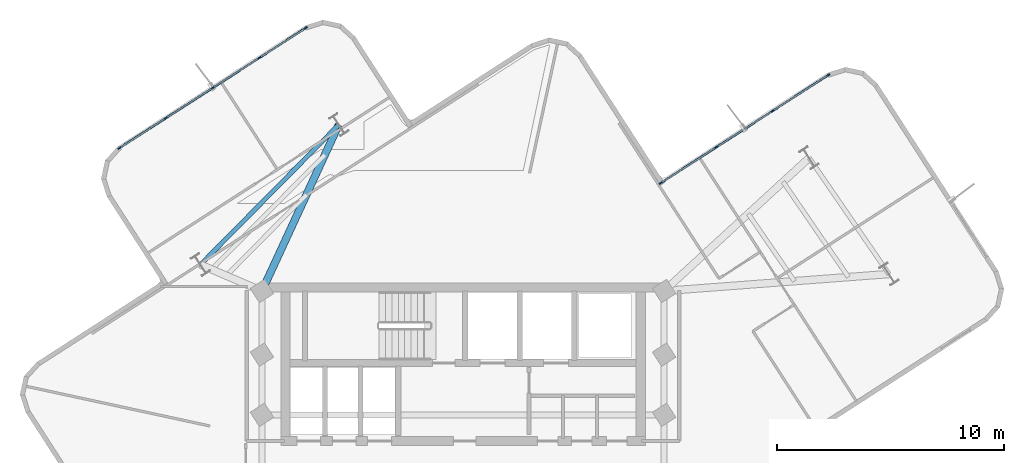
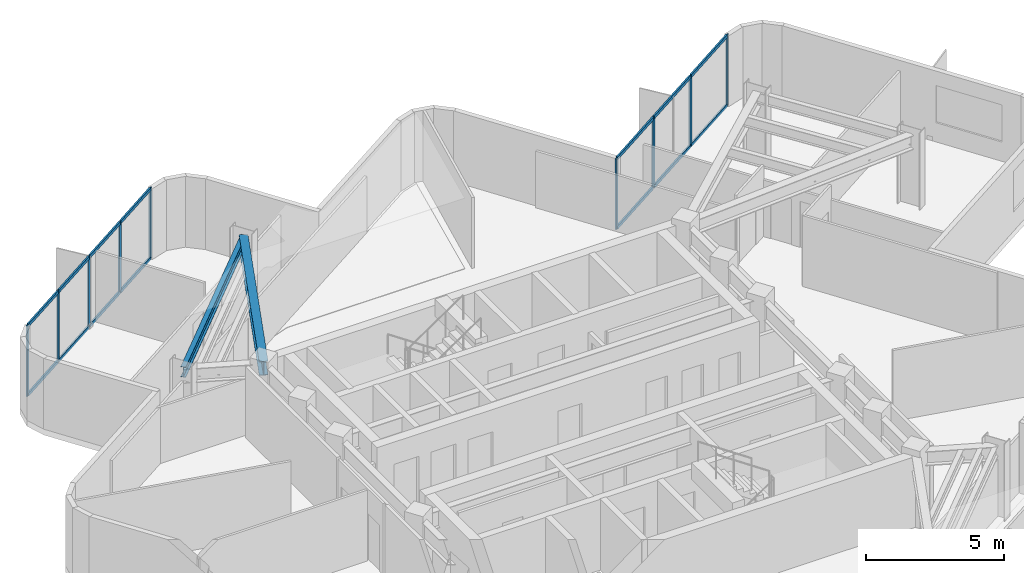
# One storey, part 2 of 8: 23 members, 2 beams, 2 elements without a shape of their own.
"""IFC4 building model written with IfcOpenShell, lengths in metres."""

from ifc_helpers import new_model, si_unit, direction, frame, origin, origin_2d, place, context, subcontext, project, spatial, rectangle, i_section, extrude, material, layer, layer_set, material_profile, profile_set, type_object, element, aggregate, save


model = new_model("IFC4")

# Units and contexts
model_context = context("Model", 3, precision=1e-05, world=origin(), true_north=direction((0.0, 1.0)))
body_context = subcontext(model_context, "Body", "Model", "MODEL_VIEW")
ifc_project = project(units=[si_unit("LENGTHUNIT", "METRE"), si_unit("AREAUNIT", "SQUARE_METRE"), si_unit("VOLUMEUNIT", "CUBIC_METRE"), si_unit("PLANEANGLEUNIT", "RADIAN"), si_unit("MASSUNIT", "GRAM", prefix="KILO")], contexts=[model_context])

# Site, building, storey
site_placement = place(None, origin())
site = spatial("IfcSite", under=ifc_project, at=site_placement, CompositionType="ELEMENT")
building_placement = place(site_placement, origin())
building = spatial("IfcBuilding", under=site, at=building_placement, Name="Solmarez Civic Tower", CompositionType="ELEMENT")
storey_placement = place(building_placement, frame((0.0, 0.0, 218.8798828125)))
storey = spatial("IfcBuildingStorey", under=building, at=storey_placement, Name="L58", CompositionType="ELEMENT", Elevation=218.8798828125)

# Beams
ifc_material_1 = material(Name="Steel S355", Category="steel")
ifc_material_profile_1 = material_profile(ifc_material_1, i_section(OverallWidth=0.19189453125, OverallDepth=0.462890625, WebThickness=0.010498046875, FlangeThickness=0.017578125, at=origin_2d()), Name="W18X60")
ifc_profile_set_1 = profile_set([ifc_material_profile_1], Name="Steel S355")
beam_type_1 = type_object("IfcBeamType", Name="BM-JS-W18X60", PredefinedType="JOIST", material=ifc_profile_set_1)
beam_1_placement = place(storey_placement, frame((-5.468017578125, 15.6708984375, 2.908203125), z_axis=(-0.702766092364, -0.711420986072, 0.0), x_axis=(0.711420986072, -0.702766092364, 0.0)))
element("IfcBeam", 1, at=beam_1_placement, inside=storey, type_object=beam_type_1, Name="L58 Secondary Floor Joist BM-L58-NA-T1", PredefinedType="JOIST", context=body_context, shape_type="SweptSolid", body=[
    extrude(i_section(OverallWidth=0.19189453125, OverallDepth=0.462890625, WebThickness=0.010498046875, FlangeThickness=0.017578125, at=origin_2d()), origin(), (0.0, 0.0, 1.0), 8.659912109375),
])
ifc_material_profile_2 = material_profile(ifc_material_1, i_section(OverallWidth=0.327880859375, OverallDepth=0.6220703125, WebThickness=0.015380859375, FlangeThickness=0.0244140625, at=origin_2d()), Name="W24X131")
ifc_profile_set_2 = profile_set([ifc_material_profile_2], Name="Steel S355")
beam_type_2 = type_object("IfcBeamType", Name="BM-PR-W24X131", PredefinedType="BEAM", material=ifc_profile_set_2)
beam_2_placement = place(storey_placement, frame((-8.85009765625, 8.35009765625, 2.8291015625), z_axis=(0.419390280967, 0.907806032273, 0.0), x_axis=(-0.907806032273, 0.419390280967, 0.0)))
element("IfcBeam", 2, at=beam_2_placement, inside=storey, type_object=beam_type_2, Name="L58 Primary Floor Beam BM-L58-NA-R1A", PredefinedType="BEAM", context=body_context, shape_type="SweptSolid", body=[
    extrude(i_section(OverallWidth=0.327880859375, OverallDepth=0.6220703125, WebThickness=0.015380859375, FlangeThickness=0.0244140625, at=origin_2d()), origin(), (0.0, 0.0, 1.0), 8.064208984375),
])

# Curtain wall, members
ifc_material_2 = material(Name="Bronze Anodised Aluminium EN AW-6063 T6", Category="aluminium")
ifc_layer = layer(ifc_material_2, 0.1650390625)
ifc_layer_set = layer_set([ifc_layer], Name="Bronze Anodised Aluminium EN AW-6063 T6")
curtain_wall_type = type_object("IfcCurtainWallType", Name="CW-SYS-4", PredefinedType="NOTDEFINED", material=ifc_layer_set)
curtain_wall_1_placement = place(storey_placement, origin())
curtain_wall_1 = element("IfcCurtainWall", 3, at=curtain_wall_1_placement, inside=storey, type_object=curtain_wall_type, Name="L58 Stick-Built Curtain Wall 1", PredefinedType="NOTDEFINED")
ifc_material_profile_3 = material_profile(ifc_material_2, rectangle(XDim=0.06005859375, YDim=0.14990234375, at=origin_2d()), Name="CWM-60X150")
ifc_profile_set_3 = profile_set([ifc_material_profile_3], Name="Bronze Anodised Aluminium EN AW-6063 T6")
member_type_1 = type_object("IfcMemberType", Name="CWM-TYPE-4", PredefinedType="MULLION", material=ifc_profile_set_3)
member_1_placement = place(storey_placement, frame((-15.124755859375, 14.641357421875, 0.0), z_axis=(0.0, 0.0, 1.0), x_axis=(-0.541714119272, 0.840562795383, 0.0)))
member_1 = element("IfcMember", 4, at=member_1_placement, type_object=member_type_1, Name="CWS4 mullion 1", PredefinedType="MULLION", context=body_context, shape_type="SweptSolid", body=[
    extrude(rectangle(XDim=0.06005859375, YDim=0.14990234375, at=origin_2d()), origin(), (0.0, 0.0, 1.0), 3.14013671875),
])
member_2_placement = place(storey_placement, frame((-13.08544921875, 15.95556640625, 0.0), z_axis=(0.0, 0.0, 1.0), x_axis=(-0.541714119272, 0.840562795383, 0.0)))
member_2 = element("IfcMember", 5, at=member_2_placement, type_object=member_type_1, Name="CWS4 mullion 2", PredefinedType="MULLION", context=body_context, shape_type="SweptSolid", body=[
    extrude(rectangle(XDim=0.06005859375, YDim=0.14990234375, at=origin_2d()), origin(), (0.0, 0.0, 1.0), 3.14013671875),
])
member_3_placement = place(storey_placement, frame((-11.02099609375, 17.285888671875, 0.0), z_axis=(0.0, 0.0, 1.0), x_axis=(-0.541714119272, 0.840562795383, 0.0)))
member_3 = element("IfcMember", 6, at=member_3_placement, type_object=member_type_1, Name="CWS4 mullion 3", PredefinedType="MULLION", context=body_context, shape_type="SweptSolid", body=[
    extrude(rectangle(XDim=0.06005859375, YDim=0.14990234375, at=origin_2d()), origin(), (0.0, 0.0, 1.0), 3.14013671875),
])
member_4_placement = place(storey_placement, frame((-8.95654296875, 18.616455078125, 0.0), z_axis=(0.0, 0.0, 1.0), x_axis=(-0.541714119272, 0.840562795383, 0.0)))
member_4 = element("IfcMember", 7, at=member_4_placement, type_object=member_type_1, Name="CWS4 mullion 4", PredefinedType="MULLION", context=body_context, shape_type="SweptSolid", body=[
    extrude(rectangle(XDim=0.06005859375, YDim=0.14990234375, at=origin_2d()), origin(), (0.0, 0.0, 1.0), 3.14013671875),
])
member_5_placement = place(storey_placement, frame((-6.917236328125, 19.9306640625, 0.0), z_axis=(0.0, 0.0, 1.0), x_axis=(-0.541714119272, 0.840562795383, 0.0)))
member_5 = element("IfcMember", 8, at=member_5_placement, type_object=member_type_1, Name="CWS4 mullion 5", PredefinedType="MULLION", context=body_context, shape_type="SweptSolid", body=[
    extrude(rectangle(XDim=0.06005859375, YDim=0.14990234375, at=origin_2d()), origin(), (0.0, 0.0, 1.0), 3.14013671875),
])

curtain_wall_2_placement = place(storey_placement, origin())
curtain_wall_2 = element("IfcCurtainWall", 9, at=curtain_wall_2_placement, inside=storey, type_object=curtain_wall_type, Name="L58 Stick-Built Curtain Wall 2", PredefinedType="NOTDEFINED")
member_6_placement = place(storey_placement, frame((8.691162109375, 13.09619140625, 0.0), z_axis=(0.0, 0.0, 1.0), x_axis=(-0.541740400559, 0.840545857406, 0.0)))
member_6 = element("IfcMember", 10, at=member_6_placement, type_object=member_type_1, Name="CWS4 mullion 1", PredefinedType="MULLION", context=body_context, shape_type="SweptSolid", body=[
    extrude(rectangle(XDim=0.06005859375, YDim=0.14990234375, at=origin_2d()), origin(), (0.0, 0.0, 1.0), 3.14013671875),
])
member_7_placement = place(storey_placement, frame((11.143310546875, 14.6767578125, 0.0), z_axis=(0.0, 0.0, 1.0), x_axis=(-0.541740400559, 0.840545857406, 0.0)))
member_7 = element("IfcMember", 11, at=member_7_placement, type_object=member_type_1, Name="CWS4 mullion 2", PredefinedType="MULLION", context=body_context, shape_type="SweptSolid", body=[
    extrude(rectangle(XDim=0.06005859375, YDim=0.14990234375, at=origin_2d()), origin(), (0.0, 0.0, 1.0), 3.14013671875),
])
member_8_placement = place(storey_placement, frame((13.62060546875, 16.2734375, 0.0), z_axis=(0.0, 0.0, 1.0), x_axis=(-0.541740400559, 0.840545857406, 0.0)))
member_8 = element("IfcMember", 12, at=member_8_placement, type_object=member_type_1, Name="CWS4 mullion 3", PredefinedType="MULLION", context=body_context, shape_type="SweptSolid", body=[
    extrude(rectangle(XDim=0.06005859375, YDim=0.14990234375, at=origin_2d()), origin(), (0.0, 0.0, 1.0), 3.14013671875),
])
member_9_placement = place(storey_placement, frame((16.07275390625, 17.853759765625, 0.0), z_axis=(0.0, 0.0, 1.0), x_axis=(-0.541740400559, 0.840545857406, 0.0)))
member_9 = element("IfcMember", 13, at=member_9_placement, type_object=member_type_1, Name="CWS4 mullion 4", PredefinedType="MULLION", context=body_context, shape_type="SweptSolid", body=[
    extrude(rectangle(XDim=0.06005859375, YDim=0.14990234375, at=origin_2d()), origin(), (0.0, 0.0, 1.0), 3.14013671875),
])

# Member
ifc_material_profile_4 = material_profile(ifc_material_2, rectangle(XDim=0.070068359375, YDim=0.139892578125, at=origin_2d()), Name="CWT-70X140")
ifc_profile_set_4 = profile_set([ifc_material_profile_4], Name="Bronze Anodised Aluminium EN AW-6063 T6")
member_type_2 = type_object("IfcMemberType", Name="CWT-TYPE-1", PredefinedType="USERDEFINED", material=ifc_profile_set_4)
member_10_placement = place(storey_placement, frame((-15.099609375, 14.657470703125, 0.03515625), z_axis=(0.840584606987, 0.541680273313, 0.0), x_axis=(-0.541680273313, 0.840584606987, 0.0)))
member_10 = element("IfcMember", 14, at=member_10_placement, type_object=member_type_2, Name="CWS4 transom 1.1", ObjectType="TRANSOM", PredefinedType="USERDEFINED", context=body_context, shape_type="SweptSolid", body=[
    extrude(rectangle(XDim=0.070068359375, YDim=0.139892578125, at=origin_2d()), origin(), (0.0, 0.0, 1.0), 2.3662109375),
])

member_11_placement = place(storey_placement, frame((-15.099609375, 14.657470703125, 3.105224609375), z_axis=(0.840584606987, 0.541680273313, 0.0), x_axis=(-0.541680273313, 0.840584606987, 0.0)))
member_11 = element("IfcMember", 15, at=member_11_placement, type_object=member_type_2, Name="CWS4 transom 1.2", ObjectType="TRANSOM", PredefinedType="USERDEFINED", context=body_context, shape_type="SweptSolid", body=[
    extrude(rectangle(XDim=0.070068359375, YDim=0.139892578125, at=origin_2d()), origin(), (0.0, 0.0, 1.0), 2.3662109375),
])

member_12_placement = place(storey_placement, frame((-13.060302734375, 15.9716796875, 0.03515625), z_axis=(0.840555570619, 0.541725329573, 0.0), x_axis=(-0.541725329573, 0.840555570619, 0.0)))
member_12 = element("IfcMember", 16, at=member_12_placement, type_object=member_type_2, Name="CWS4 transom 2.1", ObjectType="TRANSOM", PredefinedType="USERDEFINED", context=body_context, shape_type="SweptSolid", body=[
    extrude(rectangle(XDim=0.070068359375, YDim=0.139892578125, at=origin_2d()), origin(), (0.0, 0.0, 1.0), 2.396240234375),
])

member_13_placement = place(storey_placement, frame((-13.060302734375, 15.9716796875, 3.105224609375), z_axis=(0.840555570619, 0.541725329573, 0.0), x_axis=(-0.541725329573, 0.840555570619, 0.0)))
member_13 = element("IfcMember", 17, at=member_13_placement, type_object=member_type_2, Name="CWS4 transom 2.2", ObjectType="TRANSOM", PredefinedType="USERDEFINED", context=body_context, shape_type="SweptSolid", body=[
    extrude(rectangle(XDim=0.070068359375, YDim=0.139892578125, at=origin_2d()), origin(), (0.0, 0.0, 1.0), 2.396240234375),
])

member_14_placement = place(storey_placement, frame((-10.995849609375, 17.30224609375, 0.03515625), z_axis=(0.840555570619, 0.541725329573, 0.0), x_axis=(-0.541725329573, 0.840555570619, 0.0)))
member_14 = element("IfcMember", 18, at=member_14_placement, type_object=member_type_2, Name="CWS4 transom 3.1", ObjectType="TRANSOM", PredefinedType="USERDEFINED", context=body_context, shape_type="SweptSolid", body=[
    extrude(rectangle(XDim=0.070068359375, YDim=0.139892578125, at=origin_2d()), origin(), (0.0, 0.0, 1.0), 2.396240234375),
])

member_15_placement = place(storey_placement, frame((-10.995849609375, 17.30224609375, 3.105224609375), z_axis=(0.840555570619, 0.541725329573, 0.0), x_axis=(-0.541725329573, 0.840555570619, 0.0)))
member_15 = element("IfcMember", 19, at=member_15_placement, type_object=member_type_2, Name="CWS4 transom 3.2", ObjectType="TRANSOM", PredefinedType="USERDEFINED", context=body_context, shape_type="SweptSolid", body=[
    extrude(rectangle(XDim=0.070068359375, YDim=0.139892578125, at=origin_2d()), origin(), (0.0, 0.0, 1.0), 2.396240234375),
])

member_16_placement = place(storey_placement, frame((-8.931396484375, 18.6328125, 0.03515625), z_axis=(0.840584606987, 0.541680273313, 0.0), x_axis=(-0.541680273313, 0.840584606987, 0.0)))
member_16 = element("IfcMember", 20, at=member_16_placement, type_object=member_type_2, Name="CWS4 transom 4.1", ObjectType="TRANSOM", PredefinedType="USERDEFINED", context=body_context, shape_type="SweptSolid", body=[
    extrude(rectangle(XDim=0.070068359375, YDim=0.139892578125, at=origin_2d()), origin(), (0.0, 0.0, 1.0), 2.3662109375),
])

member_17_placement = place(storey_placement, frame((-8.931396484375, 18.6328125, 3.105224609375), z_axis=(0.840584606987, 0.541680273313, 0.0), x_axis=(-0.541680273313, 0.840584606987, 0.0)))
member_17 = element("IfcMember", 21, at=member_17_placement, type_object=member_type_2, Name="CWS4 transom 4.2", ObjectType="TRANSOM", PredefinedType="USERDEFINED", context=body_context, shape_type="SweptSolid", body=[
    extrude(rectangle(XDim=0.070068359375, YDim=0.139892578125, at=origin_2d()), origin(), (0.0, 0.0, 1.0), 2.3662109375),
])

aggregate(curtain_wall_1, [member_1, member_2, member_3, member_4, member_5, member_10, member_11, member_12, member_13, member_14, member_15, member_16, member_17])

member_18_placement = place(storey_placement, frame((8.716552734375, 13.112548828125, 0.03515625), z_axis=(0.840547689776, 0.541737557505, 0.0), x_axis=(-0.541737557505, 0.840547689776, 0.0)))
member_18 = element("IfcMember", 22, at=member_18_placement, type_object=member_type_2, Name="CWS4 transom 1.1", ObjectType="TRANSOM", PredefinedType="USERDEFINED", context=body_context, shape_type="SweptSolid", body=[
    extrude(rectangle(XDim=0.070068359375, YDim=0.139892578125, at=origin_2d()), origin(), (0.0, 0.0, 1.0), 2.857177734375),
])

member_19_placement = place(storey_placement, frame((8.716552734375, 13.112548828125, 3.105224609375), z_axis=(0.840547689776, 0.541737557505, 0.0), x_axis=(-0.541737557505, 0.840547689776, 0.0)))
member_19 = element("IfcMember", 23, at=member_19_placement, type_object=member_type_2, Name="CWS4 transom 1.2", ObjectType="TRANSOM", PredefinedType="USERDEFINED", context=body_context, shape_type="SweptSolid", body=[
    extrude(rectangle(XDim=0.070068359375, YDim=0.139892578125, at=origin_2d()), origin(), (0.0, 0.0, 1.0), 2.857177734375),
])

member_20_placement = place(storey_placement, frame((11.16845703125, 14.69287109375, 0.03515625), z_axis=(0.84054878961, 0.541735851024, 0.0), x_axis=(-0.541735851024, 0.84054878961, 0.0)))
member_20 = element("IfcMember", 24, at=member_20_placement, type_object=member_type_2, Name="CWS4 transom 2.1", ObjectType="TRANSOM", PredefinedType="USERDEFINED", context=body_context, shape_type="SweptSolid", body=[
    extrude(rectangle(XDim=0.070068359375, YDim=0.139892578125, at=origin_2d()), origin(), (0.0, 0.0, 1.0), 2.887451171875),
])

member_21_placement = place(storey_placement, frame((11.16845703125, 14.69287109375, 3.105224609375), z_axis=(0.84054878961, 0.541735851024, 0.0), x_axis=(-0.541735851024, 0.84054878961, 0.0)))
member_21 = element("IfcMember", 25, at=member_21_placement, type_object=member_type_2, Name="CWS4 transom 2.2", ObjectType="TRANSOM", PredefinedType="USERDEFINED", context=body_context, shape_type="SweptSolid", body=[
    extrude(rectangle(XDim=0.070068359375, YDim=0.139892578125, at=origin_2d()), origin(), (0.0, 0.0, 1.0), 2.887451171875),
])

member_22_placement = place(storey_placement, frame((13.64599609375, 16.28955078125, 0.03515625), z_axis=(0.840547689776, 0.541737557505, 0.0), x_axis=(-0.541737557505, 0.840547689776, 0.0)))
member_22 = element("IfcMember", 26, at=member_22_placement, type_object=member_type_2, Name="CWS4 transom 3.1", ObjectType="TRANSOM", PredefinedType="USERDEFINED", context=body_context, shape_type="SweptSolid", body=[
    extrude(rectangle(XDim=0.070068359375, YDim=0.139892578125, at=origin_2d()), origin(), (0.0, 0.0, 1.0), 2.857177734375),
])

member_23_placement = place(storey_placement, frame((13.64599609375, 16.28955078125, 3.105224609375), z_axis=(0.840547689776, 0.541737557505, 0.0), x_axis=(-0.541737557505, 0.840547689776, 0.0)))
member_23 = element("IfcMember", 27, at=member_23_placement, type_object=member_type_2, Name="CWS4 transom 3.2", ObjectType="TRANSOM", PredefinedType="USERDEFINED", context=body_context, shape_type="SweptSolid", body=[
    extrude(rectangle(XDim=0.070068359375, YDim=0.139892578125, at=origin_2d()), origin(), (0.0, 0.0, 1.0), 2.857177734375),
])

aggregate(curtain_wall_2, [member_6, member_7, member_8, member_9, member_18, member_19, member_20, member_21, member_22, member_23])

save(model, "model.ifc")
